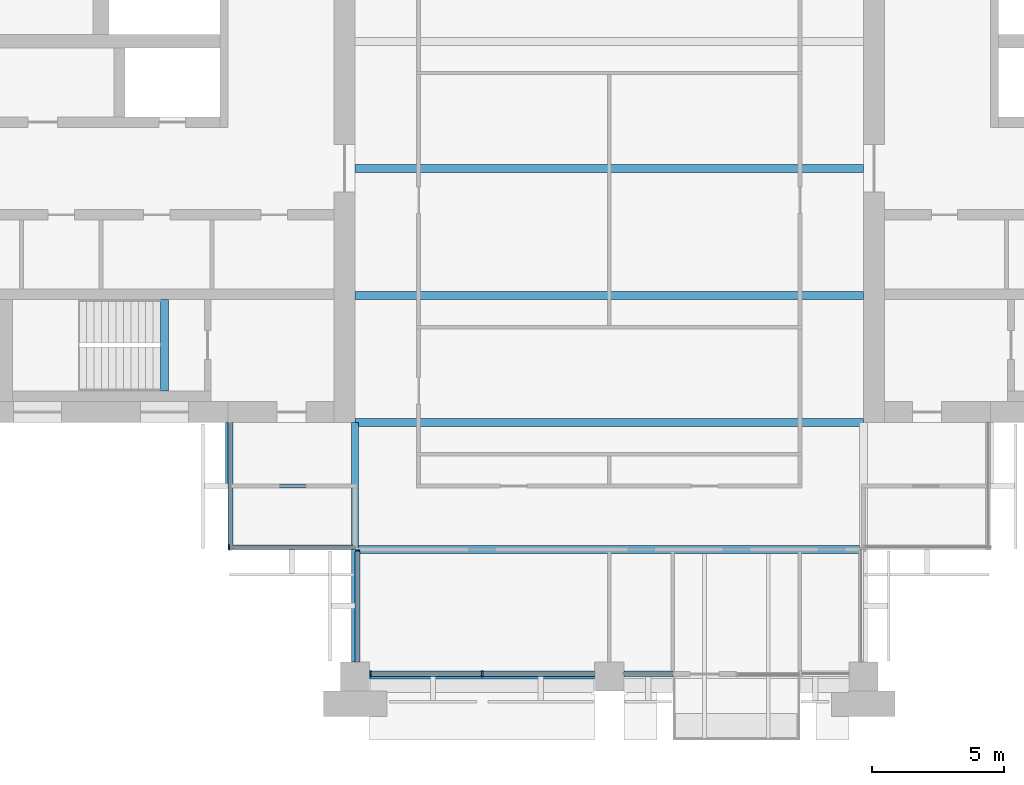
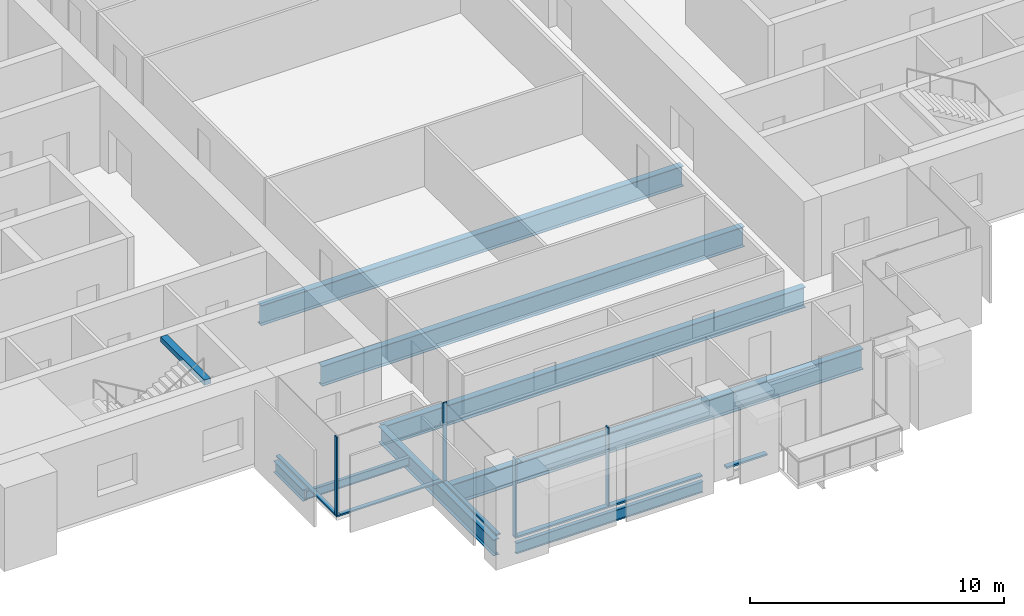
# One storey, part 2 of 14: 9 beams, 9 members, 4 elements without a shape of their own.
"""IFC4 building model written with IfcOpenShell, lengths in metres."""

from ifc_helpers import new_model, si_unit, direction, frame, origin, origin_2d, place, context, subcontext, project, spatial, rectangle, i_section, extrude, material, material_profile, profile_set, type_object, element, aggregate, save


model = new_model("IFC4")

# Units and contexts
model_context = context("Model", 3, precision=1e-05, world=origin(), true_north=direction((0.0, 1.0)))
body_context = subcontext(model_context, "Body", "Model", "MODEL_VIEW")
ifc_project = project(units=[si_unit("LENGTHUNIT", "METRE"), si_unit("AREAUNIT", "SQUARE_METRE"), si_unit("VOLUMEUNIT", "CUBIC_METRE"), si_unit("PLANEANGLEUNIT", "RADIAN"), si_unit("MASSUNIT", "GRAM", prefix="KILO")], contexts=[model_context])

# Site, building, storey
site_placement = place(None, origin())
site = spatial("IfcSite", under=ifc_project, at=site_placement, CompositionType="ELEMENT")
building_placement = place(site_placement, origin())
building = spatial("IfcBuilding", under=site, at=building_placement, Name="Baori Bourse Tower", CompositionType="ELEMENT")
storey_placement = place(building_placement, frame((0.0, 0.0, 245.199951171875)))
storey = spatial("IfcBuildingStorey", under=building, at=storey_placement, Name="L54", CompositionType="ELEMENT", Elevation=245.199951171875)

# Curtain wall, member
ifc_material_1 = material(Name="Pale anodised aluminium", Category="aluminium")
curtain_wall_type_1 = type_object("IfcCurtainWallType", Name="CW2 Curtain wall", PredefinedType="NOTDEFINED", material=ifc_material_1)
curtain_wall_1_placement = place(storey_placement, origin())
curtain_wall_1 = element("IfcCurtainWall", 1, at=curtain_wall_1_placement, inside=storey, type_object=curtain_wall_type_1, Name="Curtain wall CW2 L54 11", PredefinedType="NOTDEFINED")
ifc_material_2 = material(Name="Pale anodised aluminium", Category="aluminium")
ifc_material_profile_1 = material_profile(ifc_material_2, rectangle(XDim=0.179931640625, YDim=0.054931640625, at=origin_2d()), Name="Mullion 55x180")
ifc_profile_set_1 = profile_set([ifc_material_profile_1], Name="Pale anodised aluminium")
member_type_1 = type_object("IfcMemberType", Name="CW2 Curtain wall mullion", PredefinedType="MULLION", material=ifc_profile_set_1)
member_1_placement = place(storey_placement, frame((14.427490234375, 4.889892578125, 0.070068359375), z_axis=(0.0, 0.0, 1.0), x_axis=(0.0, 1.0, 0.0)))
member_1 = element("IfcMember", 2, at=member_1_placement, type_object=member_type_1, Name="Curtain wall CW2 mullion", PredefinedType="MULLION", context=body_context, shape_type="SweptSolid", body=[
    extrude(rectangle(XDim=0.179931640625, YDim=0.054931640625, at=origin_2d()), origin(), (0.0, 0.0, 1.0), 3.77001953125),
])

curtain_wall_2_placement = place(storey_placement, origin())
curtain_wall_2 = element("IfcCurtainWall", 3, at=curtain_wall_2_placement, inside=storey, type_object=curtain_wall_type_1, Name="Curtain wall CW2 L54 12", PredefinedType="NOTDEFINED")
member_2_placement = place(storey_placement, frame((19.2900390625, 4.7724609375, 0.070068359375), z_axis=(0.0, 0.0, 1.0), x_axis=(1.0, 0.0, 0.0)))
member_2 = element("IfcMember", 4, at=member_2_placement, type_object=member_type_1, Name="Curtain wall CW2 mullion", PredefinedType="MULLION", context=body_context, shape_type="SweptSolid", body=[
    extrude(rectangle(XDim=0.179931640625, YDim=0.054931640625, at=origin_2d()), origin(), (0.0, 0.0, 1.0), 3.77001953125),
])

curtain_wall_3_placement = place(storey_placement, origin())
curtain_wall_3 = element("IfcCurtainWall", 5, at=curtain_wall_3_placement, inside=storey, type_object=curtain_wall_type_1, Name="Curtain wall CW2 L54 10", PredefinedType="NOTDEFINED")
ifc_material_3 = material(Name="Pale anodised aluminium", Category="aluminium")
ifc_material_profile_2 = material_profile(ifc_material_3, rectangle(XDim=0.179931640625, YDim=0.070068359375, at=origin_2d()), Name="Transom 70x180")
ifc_profile_set_2 = profile_set([ifc_material_profile_2], Name="Pale anodised aluminium")
member_type_2 = type_object("IfcMemberType", Name="CW2 Curtain wall transom", PredefinedType="USERDEFINED", material=ifc_profile_set_2)
member_3_placement = place(storey_placement, frame((14.489990234375, 9.60009765625, 0.03515625), z_axis=(0.0, -1.0, 0.0), x_axis=(1.0, 0.0, 0.0)))
member_3 = element("IfcMember", 6, at=member_3_placement, type_object=member_type_2, Name="Curtain wall CW2 sill rail", ObjectType="TRANSOM", PredefinedType="USERDEFINED", context=body_context, shape_type="SweptSolid", body=[
    extrude(rectangle(XDim=0.179931640625, YDim=0.070068359375, at=origin_2d()), origin(), (0.0, 0.0, 1.0), 4.800048828125),
])
aggregate(curtain_wall_3, [member_3])

# Member
member_4_placement = place(storey_placement, frame((14.39990234375, 4.889892578125, 0.03515625), z_axis=(1.0, 0.0, 0.0), x_axis=(0.0, 1.0, 0.0)))
member_4 = element("IfcMember", 7, at=member_4_placement, type_object=member_type_2, Name="Curtain wall CW2 sill rail", ObjectType="TRANSOM", PredefinedType="USERDEFINED", context=body_context, shape_type="SweptSolid", body=[
    extrude(rectangle(XDim=0.179931640625, YDim=0.070068359375, at=origin_2d()), origin(), (0.0, 0.0, 1.0), 4.800048828125),
])

aggregate(curtain_wall_1, [member_4, member_1])

member_5_placement = place(storey_placement, frame((19.2900390625, 4.800048828125, 0.03515625), z_axis=(0.0, -1.0, 0.0), x_axis=(1.0, 0.0, 0.0)))
member_5 = element("IfcMember", 8, at=member_5_placement, type_object=member_type_2, Name="Curtain wall CW2 sill rail", ObjectType="TRANSOM", PredefinedType="USERDEFINED", context=body_context, shape_type="SweptSolid", body=[
    extrude(rectangle(XDim=0.179931640625, YDim=0.070068359375, at=origin_2d()), origin(), (0.0, 0.0, 1.0), 4.25),
])

aggregate(curtain_wall_2, [member_5, member_2])

# Curtain wall, members
ifc_material_4 = material(Name="Pale anodised aluminium", Category="aluminium")
curtain_wall_type_2 = type_object("IfcCurtainWallType", Name="CW5 Curtain wall", PredefinedType="NOTDEFINED", material=ifc_material_4)
curtain_wall_4_placement = place(storey_placement, origin())
curtain_wall_4 = element("IfcCurtainWall", 9, at=curtain_wall_4_placement, inside=storey, type_object=curtain_wall_type_2, Name="Curtain wall CW5 L54 13", PredefinedType="NOTDEFINED")
ifc_material_5 = material(Name="Pale anodised aluminium", Category="aluminium")
ifc_material_profile_3 = material_profile(ifc_material_5, rectangle(XDim=0.219970703125, YDim=0.06494140625, at=origin_2d()), Name="Mullion 65x220")
ifc_profile_set_3 = profile_set([ifc_material_profile_3], Name="Pale anodised aluminium")
member_type_3 = type_object("IfcMemberType", Name="CW5 Curtain wall mullion", PredefinedType="MULLION", material=ifc_profile_set_3)
member_6_placement = place(storey_placement, frame((19.782470703125, 0.110107421875, 0.0849609375), z_axis=(0.0, 0.0, 1.0), x_axis=(0.0, 1.0, 0.0)))
member_6 = element("IfcMember", 10, at=member_6_placement, type_object=member_type_3, Name="Curtain wall CW5 mullion", PredefinedType="MULLION", context=body_context, shape_type="SweptSolid", body=[
    extrude(rectangle(XDim=0.219970703125, YDim=0.06494140625, at=origin_2d()), origin(), (0.0, 0.0, 1.0), 3.755126953125),
])
member_7_placement = place(storey_placement, frame((24.0, 0.110107421875, 0.0849609375), z_axis=(0.0, 0.0, 1.0), x_axis=(0.0, 1.0, 0.0)))
member_7 = element("IfcMember", 11, at=member_7_placement, type_object=member_type_3, Name="Curtain wall CW5 mullion", PredefinedType="MULLION", context=body_context, shape_type="SweptSolid", body=[
    extrude(rectangle(XDim=0.219970703125, YDim=0.06494140625, at=origin_2d()), origin(), (0.0, 0.0, 1.0), 3.755126953125),
])
ifc_material_6 = material(Name="Pale anodised aluminium", Category="aluminium")
ifc_material_profile_4 = material_profile(ifc_material_6, rectangle(XDim=0.219970703125, YDim=0.0849609375, at=origin_2d()), Name="Transom 85x220")
ifc_profile_set_4 = profile_set([ifc_material_profile_4], Name="Pale anodised aluminium")
member_type_4 = type_object("IfcMemberType", Name="CW5 Curtain wall transom", PredefinedType="USERDEFINED", material=ifc_profile_set_4)
member_8_placement = place(storey_placement, frame((19.75, 0.110107421875, 0.04248046875), z_axis=(1.0, 0.0, 0.0), x_axis=(0.0, 1.0, 0.0)))
member_8 = element("IfcMember", 12, at=member_8_placement, type_object=member_type_4, Name="Curtain wall CW5 sill rail", ObjectType="TRANSOM", PredefinedType="USERDEFINED", context=body_context, shape_type="SweptSolid", body=[
    extrude(rectangle(XDim=0.219970703125, YDim=0.0849609375, at=origin_2d()), origin(), (0.0, 0.0, 1.0), 8.5),
])
member_9_placement = place(storey_placement, frame((29.35009765625, 0.110107421875, 0.04248046875), z_axis=(1.0, 0.0, 0.0), x_axis=(0.0, 1.0, 0.0)))
member_9 = element("IfcMember", 13, at=member_9_placement, type_object=member_type_4, Name="Curtain wall CW5 sill rail", ObjectType="TRANSOM", PredefinedType="USERDEFINED", context=body_context, shape_type="SweptSolid", body=[
    extrude(rectangle(XDim=0.219970703125, YDim=0.0849609375, at=origin_2d()), origin(), (0.0, 0.0, 1.0), 1.849853515625),
])
aggregate(curtain_wall_4, [member_8, member_6, member_7, member_9])

# Beams
ifc_material_7 = material(Name="Steel A992 Gr 50", Category="steel")
ifc_material_profile_5 = material_profile(ifc_material_7, i_section(OverallWidth=0.21240234375, OverallDepth=0.54345703125, WebThickness=0.01318359375, FlangeThickness=0.021240234375, at=origin_2d()), Name="W21x83")
ifc_profile_set_5 = profile_set([ifc_material_profile_5], Name="Steel A992 Gr 50")
beam_type_1 = type_object("IfcBeamType", Name="Core bracket W21x83", PredefinedType="BEAM", material=ifc_profile_set_5)
beam_1_placement = place(storey_placement, frame((14.39990234375, 7.270263671875, -0.431640625), z_axis=(0.0, 1.0, 0.0), x_axis=(-1.0, 0.0, 0.0)))
element("IfcBeam", 14, at=beam_1_placement, inside=storey, type_object=beam_type_1, Name="Core bracket L54", PredefinedType="BEAM", context=body_context, shape_type="SweptSolid", body=[
    extrude(i_section(OverallWidth=0.21240234375, OverallDepth=0.54345703125, WebThickness=0.01318359375, FlangeThickness=0.021240234375, at=origin_2d()), origin(), (0.0, 0.0, 1.0), 2.329833984375),
])
ifc_material_8 = material(Name="Steel A992 Gr 50", Category="steel")
ifc_material_profile_6 = material_profile(ifc_material_8, i_section(OverallWidth=0.1650390625, OverallDepth=0.52587890625, WebThickness=0.0087890625, FlangeThickness=0.011474609375, at=origin_2d()), Name="W21x44")
ifc_profile_set_6 = profile_set([ifc_material_profile_6], Name="Steel A992 Gr 50")
beam_type_2 = type_object("IfcBeamType", Name="Edge beam W21x44", PredefinedType="BEAM", material=ifc_profile_set_6)
beam_2_placement = place(storey_placement, frame((19.75, 0.0, -0.4228515625), z_axis=(1.0, 0.0, 0.0), x_axis=(0.0, 1.0, 0.0)))
element("IfcBeam", 15, at=beam_2_placement, inside=storey, type_object=beam_type_2, Name="Edge beam L54", PredefinedType="BEAM", context=body_context, shape_type="SweptSolid", body=[
    extrude(i_section(OverallWidth=0.1650390625, OverallDepth=0.52587890625, WebThickness=0.0087890625, FlangeThickness=0.011474609375, at=origin_2d()), origin(), (0.0, 0.0, 1.0), 8.5),
])
ifc_material_9 = material(Name="Steel A992 Gr 50", Category="steel")
ifc_material_profile_7 = material_profile(ifc_material_9, i_section(OverallWidth=0.2998046875, OverallDepth=0.97021484375, WebThickness=0.01611328125, FlangeThickness=0.02099609375, at=origin_2d()), Name="W40x149")
ifc_profile_set_7 = profile_set([ifc_material_profile_7], Name="Steel A992 Gr 50")
beam_type_3 = type_object("IfcBeamType", Name="Floor beam W40x149", PredefinedType="BEAM", material=ifc_profile_set_7)
for number, where, z_axis, x_axis, name in (
    (16, (19.199951171875, 9.60009765625, -0.64501953125), (1.0, 0.0, 0.0), (0.0, 1.0, 0.0), "Floor beam L54"),
    (17, (19.199951171875, 14.39990234375, -0.64501953125), (1.0, 0.0, 0.0), (0.0, 1.0, 0.0), "Floor beam L54"),
    (18, (19.199951171875, 19.199951171875, -0.64501953125), (1.0, 0.0, 0.0), (0.0, 1.0, 0.0), "Floor beam L54"),
):
    element("IfcBeam", number, at=place(storey_placement, frame(where, z_axis=z_axis, x_axis=x_axis)), inside=storey, type_object=beam_type_3, Name=name, PredefinedType="BEAM", context=body_context, shape_type="SweptSolid", body=[
        extrude(i_section(OverallWidth=0.2998046875, OverallDepth=0.97021484375, WebThickness=0.01611328125, FlangeThickness=0.02099609375, at=origin_2d()), origin(), (0.0, 0.0, 1.0), 19.199951171875),
    ])
ifc_material_10 = material(Name="Steel A992 Gr 50", Category="steel")
ifc_material_profile_8 = material_profile(ifc_material_10, i_section(OverallWidth=0.2998046875, OverallDepth=0.990478515625, WebThickness=0.0166015625, FlangeThickness=0.030517578125, at=origin_2d()), Name="W40x183")
ifc_profile_set_8 = profile_set([ifc_material_profile_8], Name="Steel A992 Gr 50")
beam_type_4 = type_object("IfcBeamType", Name="Floor beam W40x183", PredefinedType="BEAM", material=ifc_profile_set_8)
beam_3_placement = place(storey_placement, frame((19.333251953125, 4.800048828125, -0.6552734375), z_axis=(1.0, 0.0, 0.0), x_axis=(0.0, 1.0, 0.0)))
element("IfcBeam", 19, at=beam_3_placement, inside=storey, type_object=beam_type_4, Name="Floor beam L54", PredefinedType="BEAM", context=body_context, shape_type="SweptSolid", body=[
    extrude(i_section(OverallWidth=0.2998046875, OverallDepth=0.990478515625, WebThickness=0.0166015625, FlangeThickness=0.030517578125, at=origin_2d()), origin(), (0.0, 0.0, 1.0), 18.914306640625),
])
ifc_material_11 = material(Name="Steel A992 Gr 50", Category="steel")
ifc_material_profile_9 = material_profile(ifc_material_11, i_section(OverallWidth=0.2666015625, OverallDepth=0.76953125, WebThickness=0.015625, FlangeThickness=0.025390625, at=origin_2d()), Name="W30x132")
ifc_profile_set_9 = profile_set([ifc_material_profile_9], Name="Steel A992 Gr 50")
beam_type_5 = type_object("IfcBeamType", Name="Girder W30x132", PredefinedType="BEAM", material=ifc_profile_set_9)
beam_4_placement = place(storey_placement, frame((19.199951171875, 0.550048828125, -0.544677734375), z_axis=(0.0, 1.0, 0.0), x_axis=(-1.0, 0.0, 0.0)))
element("IfcBeam", 20, at=beam_4_placement, inside=storey, type_object=beam_type_5, Name="Girder L54", PredefinedType="BEAM", context=body_context, shape_type="SweptSolid", body=[
    extrude(i_section(OverallWidth=0.2666015625, OverallDepth=0.76953125, WebThickness=0.015625, FlangeThickness=0.025390625, at=origin_2d()), origin(), (0.0, 0.0, 1.0), 9.050048828125),
])
ifc_material_12 = material(Name="Concrete f'c 50 MPa", Category="concrete")
ifc_material_profile_10 = material_profile(ifc_material_12, rectangle(XDim=0.300048828125, YDim=0.25, at=origin_2d()), Name="RC 300x250")
ifc_profile_set_10 = profile_set([ifc_material_profile_10], Name="Concrete f'c 50 MPa")
beam_type_6 = type_object("IfcBeamType", Name="Stair nib beam RC 300x250", PredefinedType="BEAM", material=ifc_profile_set_10)
beam_5_placement = place(storey_placement, frame((12.0, 10.800048828125, 3.715087890625), z_axis=(0.0, 1.0, 0.0), x_axis=(-1.0, 0.0, 0.0)))
element("IfcBeam", 21, at=beam_5_placement, inside=storey, type_object=beam_type_6, Name="Stair WA nib beam L55", PredefinedType="BEAM", context=body_context, shape_type="SweptSolid", body=[
    extrude(rectangle(XDim=0.300048828125, YDim=0.25, at=origin_2d()), origin(), (0.0, 0.0, 1.0), 3.449951171875),
])
ifc_material_13 = material(Name="Steel A992 Gr 50", Category="steel")
ifc_material_profile_11 = material_profile(ifc_material_13, i_section(OverallWidth=0.140380859375, OverallDepth=0.40380859375, WebThickness=0.007080078125, FlangeThickness=0.01123046875, at=origin_2d()), Name="W16x31")
ifc_profile_set_11 = profile_set([ifc_material_profile_11], Name="Steel A992 Gr 50")
beam_type_7 = type_object("IfcBeamType", Name="Trimmer beam W16x31", PredefinedType="BEAM", material=ifc_profile_set_11)
beam_6_placement = place(storey_placement, frame((14.39990234375, 7.199951171875, -0.36181640625), z_axis=(1.0, 0.0, 0.0), x_axis=(0.0, 1.0, 0.0)))
element("IfcBeam", 22, at=beam_6_placement, inside=storey, type_object=beam_type_7, Name="Trimmer beam L54", PredefinedType="BEAM", context=body_context, shape_type="SweptSolid", body=[
    extrude(i_section(OverallWidth=0.140380859375, OverallDepth=0.40380859375, WebThickness=0.007080078125, FlangeThickness=0.01123046875, at=origin_2d()), origin(), (0.0, 0.0, 1.0), 4.666748046875),
])

save(model, "model.ifc")
